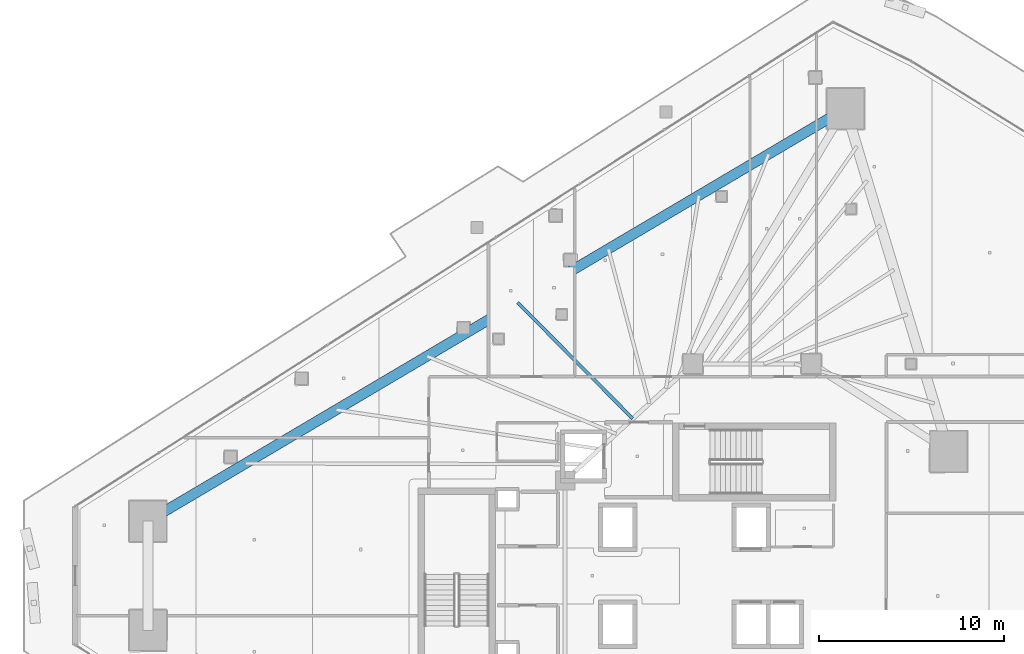
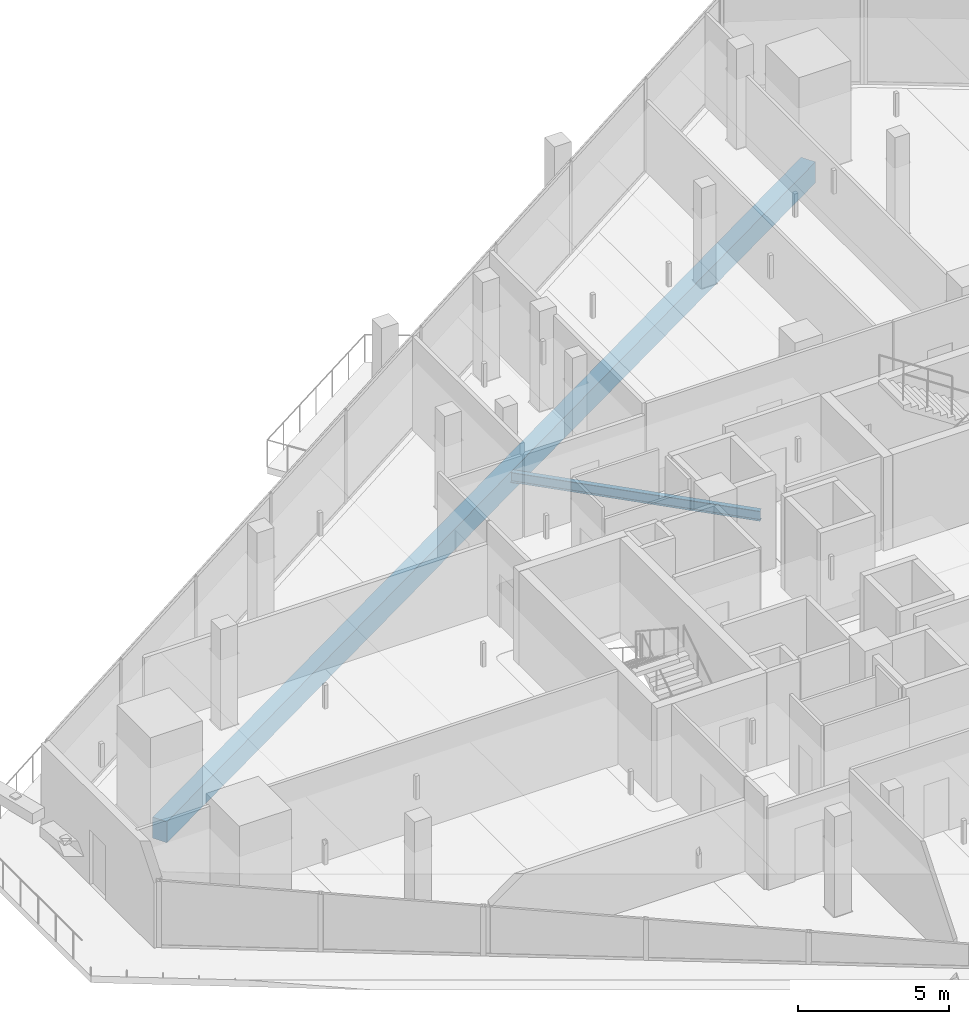
# One storey, part 17 of 39: 2 beams.
"""IFC4 building model written with IfcOpenShell, lengths in metres."""

import ifcopenshell
import ifcopenshell.guid

model = None  # the IFC model being written
_history = None  # IfcOwnerHistory: only IFC2X3 demands one
_inside = {}  # id of a spatial element -> (the spatial element, [elements in it])
_under = {}  # id of a project, library or spatial element -> (it, [spatial elements below it])
_declared = {}  # id of a project -> (the project, [libraries it declares])
_typed = {}  # id of a type object -> (the type object, [elements of that type])
_made_of = {}  # id of a material, layer set ... -> (it, [elements and type objects made of it])


def new_model(schema):
    """Start an empty IFC model of exactly this schema.

    Asked for "IFC4X3", IfcOpenShell would pick the latest addendum, in which some entities
    have other attributes; the version numbers below select the first issue.
    IFC2X3 requires an IfcOwnerHistory on every rooted entity: one is made here for all.
    """
    global model, _history
    if schema == "IFC4X3":
        model = ifcopenshell.file(schema_version=(4, 3, 0, 0))
    else:
        model = ifcopenshell.file(schema=schema)
    _inside.clear()
    _under.clear()
    _declared.clear()
    _typed.clear()
    _made_of.clear()
    _history = None
    if model.schema == "IFC2X3":
        org = make("IfcOrganization", Name="unknown")
        user = make(
            "IfcPersonAndOrganization",
            ThePerson=make("IfcPerson", FamilyName="unknown"),
            TheOrganization=org,
        )
        app = make(
            "IfcApplication",
            ApplicationDeveloper=org,
            Version="unknown",
            ApplicationFullName="unknown",
            ApplicationIdentifier="unknown",
        )
        _history = make(
            "IfcOwnerHistory",
            OwningUser=user,
            OwningApplication=app,
            ChangeAction="ADDED",
            CreationDate=0,
        )
    return model


def make(cls, **values):
    """One entity of the class cls with the attributes given. An attribute that is None is left unset."""
    return model.create_entity(
        cls, **{name: value for name, value in values.items() if value is not None}
    )


def rooted(cls, **values):
    """An entity with a GlobalId (a new one), such as an element, a storey or a relation."""
    return make(cls, GlobalId=ifcopenshell.guid.new(), OwnerHistory=_history, **values)


def si_unit(unit_type, name, prefix=None):
    """IfcSIUnit, for example si_unit("LENGTHUNIT", "METRE", prefix="MILLI")."""
    return make("IfcSIUnit", UnitType=unit_type, Prefix=prefix, Name=name)


def assignment(units):
    """IfcUnitAssignment: the units of a project."""
    return None if units is None else make("IfcUnitAssignment", Units=units)


def point(xyz):
    """IfcCartesianPoint."""
    return None if xyz is None else make("IfcCartesianPoint", Coordinates=xyz)


def direction(xyz):
    """IfcDirection."""
    return None if xyz is None else make("IfcDirection", DirectionRatios=xyz)


def frame(location, z_axis=None, x_axis=None):
    """IfcAxis2Placement3D, a coordinate frame: its origin and axes. An axis left out is left unset."""
    return make(
        "IfcAxis2Placement3D",
        Location=point(location),
        Axis=direction(z_axis),
        RefDirection=direction(x_axis),
    )


def frame_2d(location, x_axis=None):
    """IfcAxis2Placement2D, a coordinate frame in the plane: its origin and x axis."""
    return make(
        "IfcAxis2Placement2D", Location=point(location), RefDirection=direction(x_axis)
    )


def origin():
    """The frame at (0, 0, 0) with its axes left unset."""
    return frame((0.0, 0.0, 0.0))


def origin_2d():
    """The frame at (0, 0) in the plane with its x axis left unset."""
    return frame_2d((0.0, 0.0))


def place(relative_to, where):
    """IfcLocalPlacement: puts the frame where relative to a parent placement (None: the world)."""
    return make(
        "IfcLocalPlacement", PlacementRelTo=relative_to, RelativePlacement=where
    )


def context(
    kind, dimensions, precision=None, world=None, true_north=None, identifier=None
):
    """IfcGeometricRepresentationContext, for example the 3D "Model" context."""
    return make(
        "IfcGeometricRepresentationContext",
        ContextIdentifier=identifier,
        ContextType=kind,
        CoordinateSpaceDimension=dimensions,
        Precision=precision,
        WorldCoordinateSystem=world,
        TrueNorth=true_north,
    )


def subcontext(parent, identifier, kind, view, scale=None):
    """IfcGeometricRepresentationSubContext, for example "Body" below "Model"."""
    return make(
        "IfcGeometricRepresentationSubContext",
        ContextIdentifier=identifier,
        ContextType=kind,
        ParentContext=parent,
        TargetScale=scale,
        TargetView=view,
    )


def project(units=None, contexts=None):
    """IfcProject with its units and contexts."""
    return rooted(
        "IfcProject",
        Name="project",
        RepresentationContexts=contexts,
        UnitsInContext=assignment(units),
    )


def spatial(cls, under=None, at=None, **own):
    """A site, building, storey or space (cls), placed at a placement, below another one or the project."""
    s = rooted(cls, ObjectPlacement=at, **own)
    if under is not None:
        _under.setdefault(under.id(), (under, []))[1].append(s)
    return s


def profile(cls, at=None, kind="AREA", **sizes):
    """A parametric profile (cls). Its sizes go by their IFC names, for example OverallWidth=200.0."""
    return make(cls, ProfileType=kind, Position=at, **sizes)


def rectangle(**sizes):
    """IfcRectangleProfileDef."""
    return profile("IfcRectangleProfileDef", **sizes)


def i_section(**sizes):
    """IfcIShapeProfileDef."""
    return profile("IfcIShapeProfileDef", **sizes)


def extrude(swept, where, along, depth):
    """IfcExtrudedAreaSolid: the profile swept, set in the frame where, extruded along a direction by depth."""
    return make(
        "IfcExtrudedAreaSolid",
        SweptArea=swept,
        Position=where,
        ExtrudedDirection=direction(along),
        Depth=depth,
    )


def shape(context_of_items, identifier, shape_type, items):
    """IfcShapeRepresentation: the items that make up one representation, for example the "Body"."""
    return make(
        "IfcShapeRepresentation",
        ContextOfItems=context_of_items,
        RepresentationIdentifier=identifier,
        RepresentationType=shape_type,
        Items=items,
    )


def material(Name=None, Category=None):
    """IfcMaterial."""
    return make("IfcMaterial", Name=Name, Category=Category)


def material_profile(
    of_material, cross_section, Name=None, Category=None, Priority=None
):
    """IfcMaterialProfile: a cross section and its material."""
    return make(
        "IfcMaterialProfile",
        Name=Name,
        Material=of_material,
        Profile=cross_section,
        Priority=Priority,
        Category=Category,
    )


def profile_set(profiles, Name=None, composite=None):
    """IfcMaterialProfileSet."""
    return make(
        "IfcMaterialProfileSet",
        Name=Name,
        MaterialProfiles=profiles,
        CompositeProfile=composite,
    )


def made_of(thing, what):
    """Note that an element or type object is made of a material, layer set ...; save() writes the relation."""
    if what is not None:
        _made_of.setdefault(what.id(), (what, []))[1].append(thing)
    return thing


def type_object(cls, material=None, **own):
    """A type object (cls), such as IfcWallType, which elements share."""
    return made_of(rooted(cls, **own), material)


def element(
    cls,
    number,
    at=None,
    inside=None,
    cuts=None,
    type_object=None,
    material=None,
    context=None,
    identifier="Body",
    shape_type=None,
    held_by="IfcProductDefinitionShape",
    body=None,
    shapes=None,
    **own,
):
    """One element of the class cls, such as IfcWall. Its Tag is "e" and its number.

    at: its placement. inside: the storey or other place that contains it. cuts: it is an
    opening in that element (IfcRelVoidsElement). A single representation is given by context,
    identifier, shape_type and body (its items); several are given by shapes. held_by: the class
    of the entity that holds the representations. save() writes the other relations.
    """
    e = rooted(cls, Tag="e%d" % number, ObjectPlacement=at, **own)
    if body is not None:
        shapes = [shape(context, identifier, shape_type, body)]
    if shapes is not None:
        e.Representation = make(held_by, Representations=shapes)
    if inside is not None:
        _inside.setdefault(inside.id(), (inside, []))[1].append(e)
    if cuts is not None:
        rooted(
            "IfcRelVoidsElement", RelatingBuildingElement=cuts, RelatedOpeningElement=e
        )
    if type_object is not None:
        _typed.setdefault(type_object.id(), (type_object, []))[1].append(e)
    return made_of(e, material)


def aggregate(whole, parts):
    """IfcRelAggregates: a whole, such as a stair, and the parts it consists of."""
    return rooted("IfcRelAggregates", RelatingObject=whole, RelatedObjects=parts)


def save(model, path):
    """Write the relations noted so far, then the file.

    IfcRelAggregates (storeys below a building ...), IfcRelContainedInSpatialStructure (elements
    in a storey), IfcRelDefinesByType, IfcRelAssociatesMaterial and IfcRelDeclares: one each for
    every whole, place, type object, material and project.
    """
    for whole, parts in _under.values():
        aggregate(whole, parts)
    for where, things in _inside.values():
        rooted(
            "IfcRelContainedInSpatialStructure",
            RelatedElements=things,
            RelatingStructure=where,
        )
    for kind, things in _typed.values():
        rooted("IfcRelDefinesByType", RelatedObjects=things, RelatingType=kind)
    for what, things in _made_of.values():
        rooted("IfcRelAssociatesMaterial", RelatedObjects=things, RelatingMaterial=what)
    for by, libraries in _declared.values():
        rooted("IfcRelDeclares", RelatingContext=by, RelatedDefinitions=libraries)
    model.write(path)


model = new_model("IFC4")

# Units and contexts
model_context = context("Model", 3, precision=1e-05, world=origin(), true_north=direction((0.0, 1.0)))
body_context = subcontext(model_context, "Body", "Model", "MODEL_VIEW")
ifc_project = project(units=[si_unit("LENGTHUNIT", "METRE"), si_unit("AREAUNIT", "SQUARE_METRE"), si_unit("VOLUMEUNIT", "CUBIC_METRE"), si_unit("PLANEANGLEUNIT", "RADIAN"), si_unit("MASSUNIT", "GRAM", prefix="KILO")], contexts=[model_context])

# Site, building, storey
site_placement = place(None, origin())
site = spatial("IfcSite", under=ifc_project, at=site_placement, CompositionType="ELEMENT")
building_placement = place(site_placement, origin())
building = spatial("IfcBuilding", under=site, at=building_placement, Name="Qorvath Tower", CompositionType="ELEMENT")
storey_placement = place(building_placement, frame((0.0, 0.0, 142.199951171875)))
storey = spatial("IfcBuildingStorey", under=building, at=storey_placement, Name="L32", CompositionType="ELEMENT", Elevation=142.199951171875)

# Beams
ifc_material_1 = material(Name="Steel ASTM A992 Grade 50", Category="steel")
ifc_material_profile_1 = material_profile(ifc_material_1, i_section(OverallWidth=0.177978515625, OverallDepth=0.406005859375, WebThickness=0.0078125, FlangeThickness=0.0126953125, FilletRadius=0.010986328125, at=origin_2d()), Name="W16x40")
ifc_profile_set_1 = profile_set([ifc_material_profile_1], Name="Steel ASTM A992 Grade 50")
beam_type_1 = type_object("IfcBeamType", Name="BM-FJ3", PredefinedType="JOIST", material=ifc_profile_set_1)
beam_1_placement = place(storey_placement, frame((-26.843017578125, 8.489013671875, -0.47314453125), z_axis=(-0.70395121362, 0.710248328997, 0.0), x_axis=(-0.710248328997, -0.70395121362, 0.0)))
element("IfcBeam", 1, at=beam_1_placement, inside=storey, type_object=beam_type_1, Name="Composite Floor Joist NW4 L32", PredefinedType="JOIST", context=body_context, shape_type="SweptSolid", body=[
    extrude(i_section(OverallWidth=0.177978515625, OverallDepth=0.406005859375, WebThickness=0.0078125, FlangeThickness=0.0126953125, FilletRadius=0.010986328125, at=origin_2d()), origin(), (0.0, 0.0, 1.0), 8.839599609375),
])
ifc_material_2 = material(Name="Concrete C50/60", Category="concrete")
ifc_material_profile_2 = material_profile(ifc_material_2, rectangle(XDim=0.550048828125, YDim=0.85009765625, at=origin_2d()), Name="RCB 850x550")
ifc_profile_set_2 = profile_set([ifc_material_profile_2], Name="Concrete C50/60")
beam_type_2 = type_object("IfcBeamType", Name="BM-RCB2", PredefinedType="SPANDREL", material=ifc_profile_set_2)
beam_2_placement = place(storey_placement, frame((-15.34423828125, 25.24609375, -0.695068359375), z_axis=(-0.860775142889, -0.508985415689, 0.0), x_axis=(0.508985415689, -0.860775142889, 0.0)))
element("IfcBeam", 2, at=beam_2_placement, inside=storey, type_object=beam_type_2, Name="Perimeter Loggia Frame Beam MC6-MC1 L32", PredefinedType="SPANDREL", context=body_context, shape_type="SweptSolid", body=[
    extrude(rectangle(XDim=0.550048828125, YDim=0.85009765625, at=origin_2d()), origin(), (0.0, 0.0, 1.0), 43.8037109375),
])

save(model, "model.ifc")
